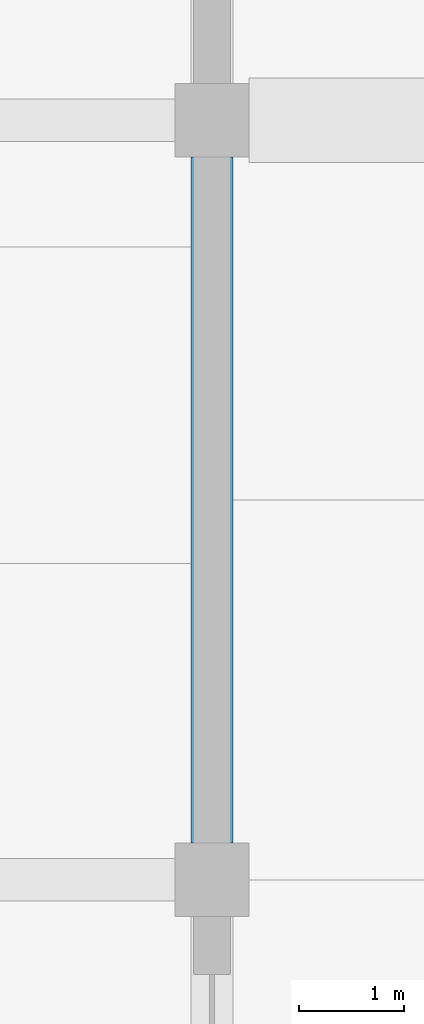
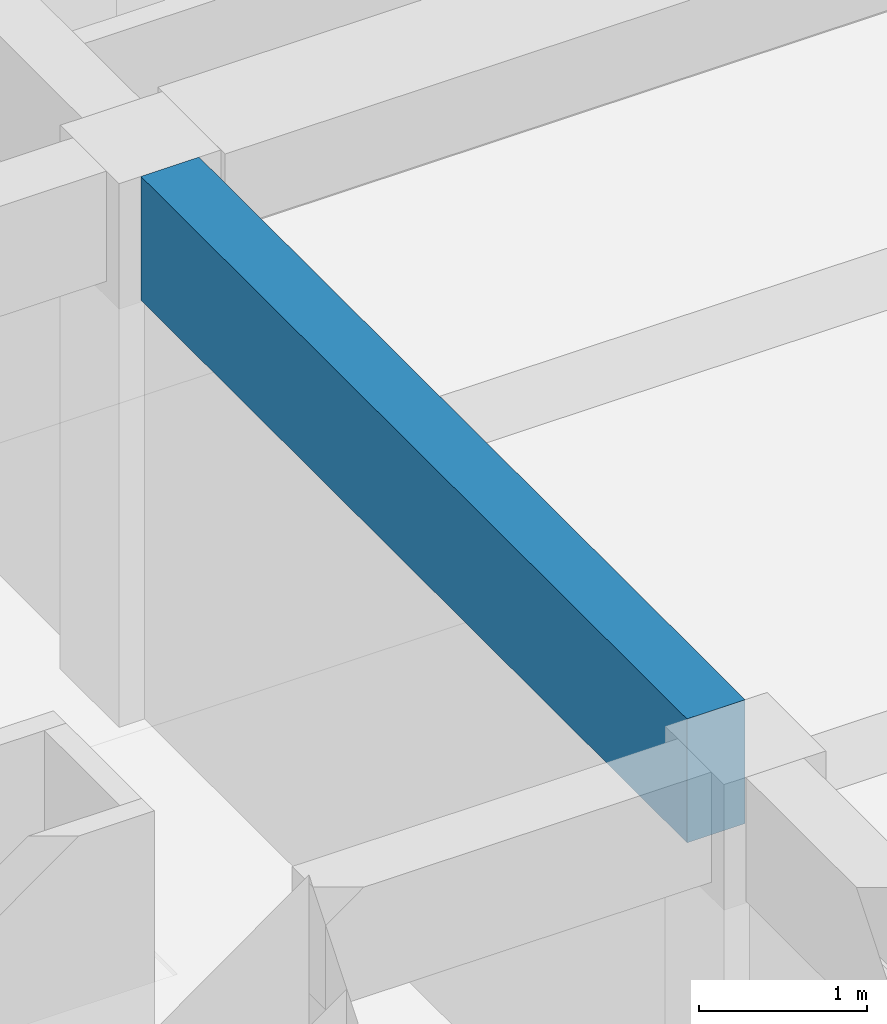
# One storey, part 22 of 103: 1 beam.
"""IFC4 building model written with IfcOpenShell, lengths in metres."""

from ifc_helpers import new_model, si_unit, direction, frame, origin, origin_2d, place, context, subcontext, project, spatial, rectangle, extrude, material, material_profile, profile_set, type_object, element, save


model = new_model("IFC4")

# Units and contexts
model_context = context("Model", 3, precision=1e-05, world=origin(), true_north=direction((0.0, 1.0)))
body_context = subcontext(model_context, "Body", "Model", "MODEL_VIEW")
ifc_project = project(units=[si_unit("LENGTHUNIT", "METRE"), si_unit("AREAUNIT", "SQUARE_METRE"), si_unit("VOLUMEUNIT", "CUBIC_METRE"), si_unit("PLANEANGLEUNIT", "RADIAN"), si_unit("MASSUNIT", "GRAM", prefix="KILO")], contexts=[model_context])

# Site, building, storey
site_placement = place(None, origin())
site = spatial("IfcSite", under=ifc_project, at=site_placement, CompositionType="ELEMENT")
building_placement = place(site_placement, origin())
building = spatial("IfcBuilding", under=site, at=building_placement, Name="Laocheng Heights Fire and Rescue Headquarters", CompositionType="ELEMENT")
storey_placement = place(building_placement, frame((0.0, 0.0, 4.199951171875)))
storey = spatial("IfcBuildingStorey", under=building, at=storey_placement, Name="L01", CompositionType="ELEMENT", Elevation=4.199951171875)

# Beam
ifc_material = material(Name="Concrete C40", Category="concrete")
ifc_material_profile = material_profile(ifc_material, rectangle(XDim=0.39990234375, YDim=0.89990234375, at=origin_2d()), Name="RC BEAM 400x900 FOYER")
ifc_profile_set = profile_set([ifc_material_profile], Name="Concrete C40")
beam_type = type_object("IfcBeamType", Name="RC BEAM 400x900 FOYER", PredefinedType="BEAM", material=ifc_profile_set)
beam_placement = place(storey_placement, frame((12.0, 43.550048828125, 3.5), z_axis=(0.0, 1.0, 0.0), x_axis=(-1.0, 0.0, 0.0)))
element("IfcBeam", 1, at=beam_placement, inside=storey, type_object=beam_type, Name="Foyer beam L01", PredefinedType="BEAM", context=body_context, shape_type="SweptSolid", body=[
    extrude(rectangle(XDim=0.39990234375, YDim=0.89990234375, at=origin_2d()), origin(), (0.0, 0.0, 1.0), 6.5),
])

save(model, "model.ifc")
